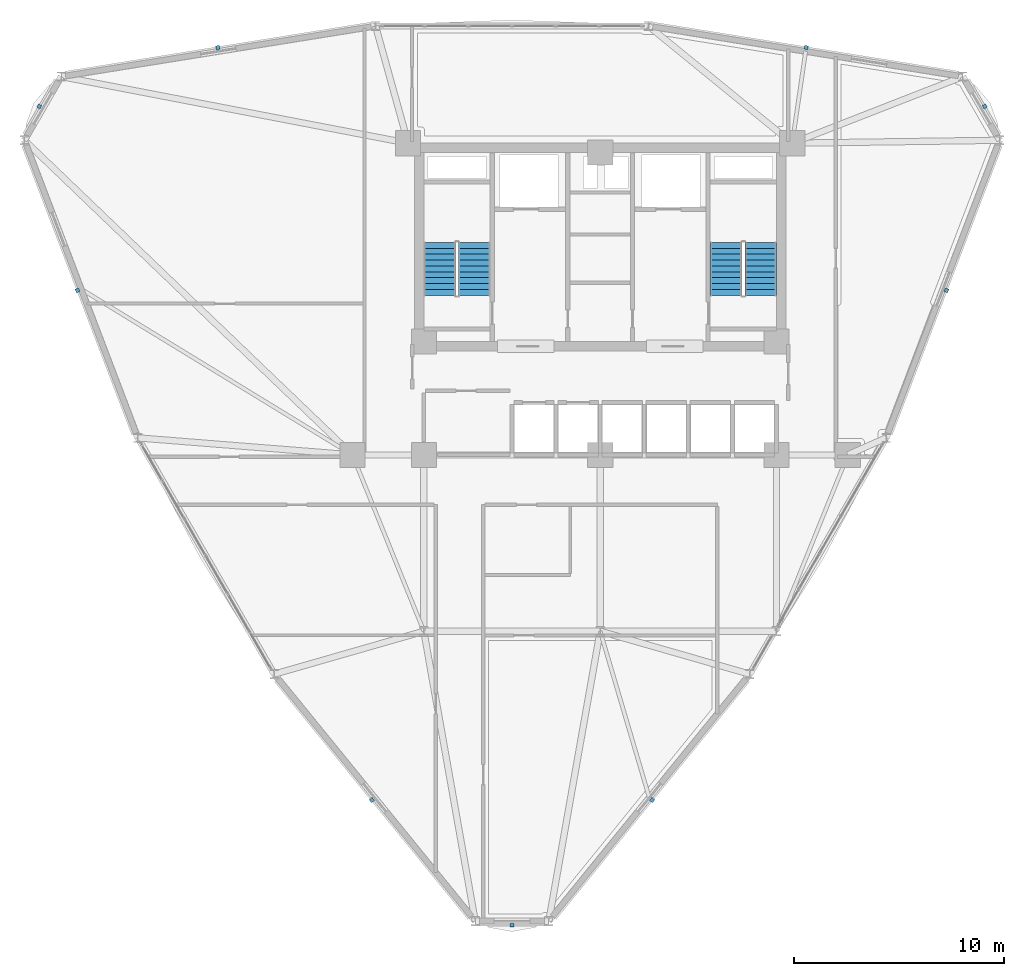
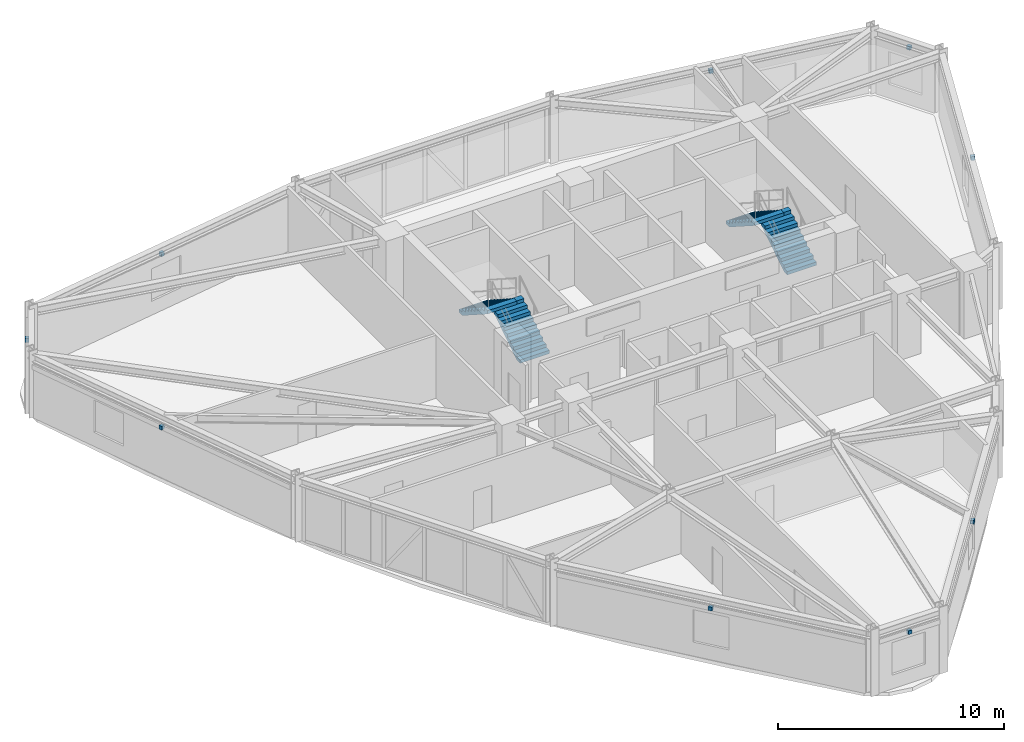
# One storey, part 12 of 15: 9 discrete accessories, 4 stair flights, 2 elements without a shape of their own.
"""IFC4 building model written with IfcOpenShell, lengths in metres."""

import ifcopenshell
import ifcopenshell.guid

model = None  # the IFC model being written
_history = None  # IfcOwnerHistory: only IFC2X3 demands one
_inside = {}  # id of a spatial element -> (the spatial element, [elements in it])
_under = {}  # id of a project, library or spatial element -> (it, [spatial elements below it])
_declared = {}  # id of a project -> (the project, [libraries it declares])
_typed = {}  # id of a type object -> (the type object, [elements of that type])
_made_of = {}  # id of a material, layer set ... -> (it, [elements and type objects made of it])


def new_model(schema):
    """Start an empty IFC model of exactly this schema.

    Asked for "IFC4X3", IfcOpenShell would pick the latest addendum, in which some entities
    have other attributes; the version numbers below select the first issue.
    IFC2X3 requires an IfcOwnerHistory on every rooted entity: one is made here for all.
    """
    global model, _history
    if schema == "IFC4X3":
        model = ifcopenshell.file(schema_version=(4, 3, 0, 0))
    else:
        model = ifcopenshell.file(schema=schema)
    _inside.clear()
    _under.clear()
    _declared.clear()
    _typed.clear()
    _made_of.clear()
    _history = None
    if model.schema == "IFC2X3":
        org = make("IfcOrganization", Name="unknown")
        user = make(
            "IfcPersonAndOrganization",
            ThePerson=make("IfcPerson", FamilyName="unknown"),
            TheOrganization=org,
        )
        app = make(
            "IfcApplication",
            ApplicationDeveloper=org,
            Version="unknown",
            ApplicationFullName="unknown",
            ApplicationIdentifier="unknown",
        )
        _history = make(
            "IfcOwnerHistory",
            OwningUser=user,
            OwningApplication=app,
            ChangeAction="ADDED",
            CreationDate=0,
        )
    return model


def make(cls, **values):
    """One entity of the class cls with the attributes given. An attribute that is None is left unset."""
    return model.create_entity(
        cls, **{name: value for name, value in values.items() if value is not None}
    )


def rooted(cls, **values):
    """An entity with a GlobalId (a new one), such as an element, a storey or a relation."""
    return make(cls, GlobalId=ifcopenshell.guid.new(), OwnerHistory=_history, **values)


def si_unit(unit_type, name, prefix=None):
    """IfcSIUnit, for example si_unit("LENGTHUNIT", "METRE", prefix="MILLI")."""
    return make("IfcSIUnit", UnitType=unit_type, Prefix=prefix, Name=name)


def derived_unit(unit_type, elements):
    """IfcDerivedUnit: a product of units, each with its exponent."""
    return make(
        "IfcDerivedUnit",
        Elements=[
            make("IfcDerivedUnitElement", Unit=unit, Exponent=power)
            for unit, power in elements
        ],
        UnitType=unit_type,
    )


def assignment(units):
    """IfcUnitAssignment: the units of a project."""
    return None if units is None else make("IfcUnitAssignment", Units=units)


def point(xyz):
    """IfcCartesianPoint."""
    return None if xyz is None else make("IfcCartesianPoint", Coordinates=xyz)


def direction(xyz):
    """IfcDirection."""
    return None if xyz is None else make("IfcDirection", DirectionRatios=xyz)


def frame(location, z_axis=None, x_axis=None):
    """IfcAxis2Placement3D, a coordinate frame: its origin and axes. An axis left out is left unset."""
    return make(
        "IfcAxis2Placement3D",
        Location=point(location),
        Axis=direction(z_axis),
        RefDirection=direction(x_axis),
    )


def frame_2d(location, x_axis=None):
    """IfcAxis2Placement2D, a coordinate frame in the plane: its origin and x axis."""
    return make(
        "IfcAxis2Placement2D", Location=point(location), RefDirection=direction(x_axis)
    )


def origin():
    """The frame at (0, 0, 0) with its axes left unset."""
    return frame((0.0, 0.0, 0.0))


def origin_2d():
    """The frame at (0, 0) in the plane with its x axis left unset."""
    return frame_2d((0.0, 0.0))


def place(relative_to, where):
    """IfcLocalPlacement: puts the frame where relative to a parent placement (None: the world)."""
    return make(
        "IfcLocalPlacement", PlacementRelTo=relative_to, RelativePlacement=where
    )


def context(
    kind, dimensions, precision=None, world=None, true_north=None, identifier=None
):
    """IfcGeometricRepresentationContext, for example the 3D "Model" context."""
    return make(
        "IfcGeometricRepresentationContext",
        ContextIdentifier=identifier,
        ContextType=kind,
        CoordinateSpaceDimension=dimensions,
        Precision=precision,
        WorldCoordinateSystem=world,
        TrueNorth=true_north,
    )


def subcontext(parent, identifier, kind, view, scale=None):
    """IfcGeometricRepresentationSubContext, for example "Body" below "Model"."""
    return make(
        "IfcGeometricRepresentationSubContext",
        ContextIdentifier=identifier,
        ContextType=kind,
        ParentContext=parent,
        TargetScale=scale,
        TargetView=view,
    )


def project(units=None, contexts=None):
    """IfcProject with its units and contexts."""
    return rooted(
        "IfcProject",
        Name="project",
        RepresentationContexts=contexts,
        UnitsInContext=assignment(units),
    )


def spatial(cls, under=None, at=None, **own):
    """A site, building, storey or space (cls), placed at a placement, below another one or the project."""
    s = rooted(cls, ObjectPlacement=at, **own)
    if under is not None:
        _under.setdefault(under.id(), (under, []))[1].append(s)
    return s


def polyline(points):
    """IfcPolyline through the points."""
    return make("IfcPolyline", Points=[point(p) for p in points])


def profile(cls, at=None, kind="AREA", **sizes):
    """A parametric profile (cls). Its sizes go by their IFC names, for example OverallWidth=200.0."""
    return make(cls, ProfileType=kind, Position=at, **sizes)


def rectangle(**sizes):
    """IfcRectangleProfileDef."""
    return profile("IfcRectangleProfileDef", **sizes)


def outline(outer, holes=None, kind="AREA"):
    """IfcArbitraryClosedProfileDef: a profile drawn as a closed curve; with holes, ...WithVoids."""
    if holes is None:
        return make("IfcArbitraryClosedProfileDef", ProfileType=kind, OuterCurve=outer)
    return make(
        "IfcArbitraryProfileDefWithVoids",
        ProfileType=kind,
        OuterCurve=outer,
        InnerCurves=holes,
    )


def extrude(swept, where, along, depth):
    """IfcExtrudedAreaSolid: the profile swept, set in the frame where, extruded along a direction by depth."""
    return make(
        "IfcExtrudedAreaSolid",
        SweptArea=swept,
        Position=where,
        ExtrudedDirection=direction(along),
        Depth=depth,
    )


def shape(context_of_items, identifier, shape_type, items):
    """IfcShapeRepresentation: the items that make up one representation, for example the "Body"."""
    return make(
        "IfcShapeRepresentation",
        ContextOfItems=context_of_items,
        RepresentationIdentifier=identifier,
        RepresentationType=shape_type,
        Items=items,
    )


def source(mapping_origin, context_of_items, identifier, shape_type, items):
    """IfcRepresentationMap: a shape defined once, which mapped items show again and again."""
    return make(
        "IfcRepresentationMap",
        MappingOrigin=mapping_origin,
        MappedRepresentation=shape(context_of_items, identifier, shape_type, items),
    )


def transform(
    local_origin,
    x_axis=None,
    y_axis=None,
    z_axis=None,
    scale=None,
    scale2=None,
    scale3=None,
    uniform=True,
):
    """IfcCartesianTransformationOperator3D, or its non-uniform kind. x_axis, y_axis, z_axis: its Axis1, 2, 3."""
    if uniform:
        return make(
            "IfcCartesianTransformationOperator3D",
            Axis1=direction(x_axis),
            Axis2=direction(y_axis),
            LocalOrigin=point(local_origin),
            Scale=scale,
            Axis3=direction(z_axis),
        )
    return make(
        "IfcCartesianTransformationOperator3DnonUniform",
        Axis1=direction(x_axis),
        Axis2=direction(y_axis),
        LocalOrigin=point(local_origin),
        Scale=scale,
        Axis3=direction(z_axis),
        Scale2=scale2,
        Scale3=scale3,
    )


def mapped(mapping_source, mapping_target):
    """IfcMappedItem: shows the shape of a source again, moved by a transform."""
    return make(
        "IfcMappedItem", MappingSource=mapping_source, MappingTarget=mapping_target
    )


def material(Name=None, Category=None):
    """IfcMaterial."""
    return make("IfcMaterial", Name=Name, Category=Category)


def made_of(thing, what):
    """Note that an element or type object is made of a material, layer set ...; save() writes the relation."""
    if what is not None:
        _made_of.setdefault(what.id(), (what, []))[1].append(thing)
    return thing


def type_object(cls, material=None, **own):
    """A type object (cls), such as IfcWallType, which elements share."""
    return made_of(rooted(cls, **own), material)


def element(
    cls,
    number,
    at=None,
    inside=None,
    cuts=None,
    type_object=None,
    material=None,
    context=None,
    identifier="Body",
    shape_type=None,
    held_by="IfcProductDefinitionShape",
    body=None,
    shapes=None,
    **own,
):
    """One element of the class cls, such as IfcWall. Its Tag is "e" and its number.

    at: its placement. inside: the storey or other place that contains it. cuts: it is an
    opening in that element (IfcRelVoidsElement). A single representation is given by context,
    identifier, shape_type and body (its items); several are given by shapes. held_by: the class
    of the entity that holds the representations. save() writes the other relations.
    """
    e = rooted(cls, Tag="e%d" % number, ObjectPlacement=at, **own)
    if body is not None:
        shapes = [shape(context, identifier, shape_type, body)]
    if shapes is not None:
        e.Representation = make(held_by, Representations=shapes)
    if inside is not None:
        _inside.setdefault(inside.id(), (inside, []))[1].append(e)
    if cuts is not None:
        rooted(
            "IfcRelVoidsElement", RelatingBuildingElement=cuts, RelatedOpeningElement=e
        )
    if type_object is not None:
        _typed.setdefault(type_object.id(), (type_object, []))[1].append(e)
    return made_of(e, material)


def aggregate(whole, parts):
    """IfcRelAggregates: a whole, such as a stair, and the parts it consists of."""
    return rooted("IfcRelAggregates", RelatingObject=whole, RelatedObjects=parts)


def save(model, path):
    """Write the relations noted so far, then the file.

    IfcRelAggregates (storeys below a building ...), IfcRelContainedInSpatialStructure (elements
    in a storey), IfcRelDefinesByType, IfcRelAssociatesMaterial and IfcRelDeclares: one each for
    every whole, place, type object, material and project.
    """
    for whole, parts in _under.values():
        aggregate(whole, parts)
    for where, things in _inside.values():
        rooted(
            "IfcRelContainedInSpatialStructure",
            RelatedElements=things,
            RelatingStructure=where,
        )
    for kind, things in _typed.values():
        rooted("IfcRelDefinesByType", RelatedObjects=things, RelatingType=kind)
    for what, things in _made_of.values():
        rooted("IfcRelAssociatesMaterial", RelatedObjects=things, RelatingMaterial=what)
    for by, libraries in _declared.values():
        rooted("IfcRelDeclares", RelatingContext=by, RelatedDefinitions=libraries)
    model.write(path)


model = new_model("IFC4")

# Units and contexts
model_context = context("Model", 3, precision=1e-05, world=origin(), true_north=direction((0.0, 1.0)))
body_context = subcontext(model_context, "Body", "Model", "MODEL_VIEW")
ifc_project = project(units=[si_unit("LENGTHUNIT", "METRE"), si_unit("AREAUNIT", "SQUARE_METRE"), si_unit("VOLUMEUNIT", "CUBIC_METRE"), si_unit("PLANEANGLEUNIT", "RADIAN"), si_unit("MASSUNIT", "GRAM", prefix="KILO"), derived_unit("THERMALTRANSMITTANCEUNIT", [(si_unit("POWERUNIT", "WATT"), 1), (si_unit("LENGTHUNIT", "METRE"), -2), (si_unit("THERMODYNAMICTEMPERATUREUNIT", "KELVIN"), -1)])], contexts=[model_context])

# Site, building, storey
site_placement = place(None, origin())
site = spatial("IfcSite", under=ifc_project, at=site_placement, CompositionType="ELEMENT")
building_placement = place(site_placement, origin())
building = spatial("IfcBuilding", under=site, at=building_placement, Name="Korsvarv Bourse and Concert Hall", CompositionType="ELEMENT")
storey_placement = place(building_placement, frame((0.0, 0.0, 147.0)))
storey = spatial("IfcBuildingStorey", under=building, at=storey_placement, Name="L37", CompositionType="ELEMENT", Elevation=147.0)

# Stair, stair flights
ifc_material_1 = material(Name="Precast concrete C45/55", Category="concrete")
stair_type = type_object("IfcStairType", Name="STR-TYPE-04", PredefinedType="HALF_TURN_STAIR", material=ifc_material_1)
stair_1_placement = place(storey_placement, origin())
stair_1 = element("IfcStair", 1, at=stair_1_placement, inside=storey, type_object=stair_type, Name="L37 Tower West Exit Stair ST-T1", PredefinedType="HALF_TURN_STAIR")
stair_flight_type = type_object("IfcStairFlightType", Name="FLT-TYPE-04", PredefinedType="STRAIGHT", material=ifc_material_1)
stair_flight_1_placement = place(storey_placement, frame((30.010009765625, 40.0, 0.0), z_axis=(0.0, 0.0, 1.0), x_axis=(0.0, 1.0, 0.0)))
stair_flight_1 = element("IfcStairFlight", 2, at=stair_flight_1_placement, type_object=stair_flight_type, Name="ST-T1 flight 1", NumberOfRisers=10, NumberOfTreads=9, PredefinedType="STRAIGHT", RiserHeight=0.18, TreadLength=0.28, context=body_context, shape_type="SweptSolid", body=[
    extrude(outline(polyline([(0.0, 0.0), (0.0, 0.179931640625), (0.280029296875, 0.179931640625), (0.280029296875, 0.360107421875), (0.56005859375, 0.360107421875), (0.56005859375, 0.5400390625), (0.840087890625, 0.5400390625), (0.840087890625, 0.719970703125), (1.1201171875, 0.719970703125), (1.1201171875, 0.89990234375), (1.39990234375, 0.89990234375), (1.39990234375, 1.080078125), (1.679931640625, 1.080078125), (1.679931640625, 1.260009765625), (1.9599609375, 1.260009765625), (1.9599609375, 1.43994140625), (2.239990234375, 1.43994140625), (2.239990234375, 1.6201171875), (2.52001953125, 1.6201171875), (2.52001953125, 1.800048828125), (2.52001953125, 1.44189453125), (0.277099609375, 0.0), (0.0, 0.0)])), frame((0.0, 0.75, 0.0), z_axis=(0.0, -1.0, 0.0), x_axis=(1.0, 0.0, 0.0)), (0.0, 0.0, 1.0), 1.5),
])
stair_flight_2_placement = place(storey_placement, frame((28.35009765625, 42.52001953125, 1.800048828125), z_axis=(0.0, 0.0, 1.0), x_axis=(0.0, -1.0, 0.0)))
stair_flight_2 = element("IfcStairFlight", 3, at=stair_flight_2_placement, type_object=stair_flight_type, Name="ST-T1 flight 2", NumberOfRisers=10, NumberOfTreads=9, PredefinedType="STRAIGHT", RiserHeight=0.18, TreadLength=0.28, context=body_context, shape_type="SweptSolid", body=[
    extrude(outline(polyline([(0.0, 0.0), (0.0, 0.179931640625), (0.280029296875, 0.179931640625), (0.280029296875, 0.360107421875), (0.56005859375, 0.360107421875), (0.56005859375, 0.5400390625), (0.840087890625, 0.5400390625), (0.840087890625, 0.719970703125), (1.1201171875, 0.719970703125), (1.1201171875, 0.89990234375), (1.39990234375, 0.89990234375), (1.39990234375, 1.080078125), (1.679931640625, 1.080078125), (1.679931640625, 1.260009765625), (1.9599609375, 1.260009765625), (1.9599609375, 1.43994140625), (2.239990234375, 1.43994140625), (2.239990234375, 1.6201171875), (2.52001953125, 1.6201171875), (2.52001953125, 1.800048828125), (2.52001953125, 1.44189453125), (0.277099609375, 0.0), (0.0, 0.0)])), frame((0.0, 0.75, 0.0), z_axis=(0.0, -1.0, 0.0), x_axis=(1.0, 0.0, 0.0)), (0.0, 0.0, 1.0), 1.5),
])
aggregate(stair_1, [stair_flight_1, stair_flight_2])

stair_2_placement = place(storey_placement, origin())
stair_2 = element("IfcStair", 4, at=stair_2_placement, inside=storey, type_object=stair_type, Name="L37 Tower East Exit Stair ST-T2", PredefinedType="HALF_TURN_STAIR")
stair_flight_3_placement = place(storey_placement, frame((43.64990234375, 40.0, 0.0), z_axis=(0.0, 0.0, 1.0), x_axis=(0.0, 1.0, 0.0)))
stair_flight_3 = element("IfcStairFlight", 5, at=stair_flight_3_placement, type_object=stair_flight_type, Name="ST-T2 flight 1", NumberOfRisers=10, NumberOfTreads=9, PredefinedType="STRAIGHT", RiserHeight=0.18, TreadLength=0.28, context=body_context, shape_type="SweptSolid", body=[
    extrude(outline(polyline([(0.0, 0.0), (0.0, 0.179931640625), (0.280029296875, 0.179931640625), (0.280029296875, 0.360107421875), (0.56005859375, 0.360107421875), (0.56005859375, 0.5400390625), (0.840087890625, 0.5400390625), (0.840087890625, 0.719970703125), (1.1201171875, 0.719970703125), (1.1201171875, 0.89990234375), (1.39990234375, 0.89990234375), (1.39990234375, 1.080078125), (1.679931640625, 1.080078125), (1.679931640625, 1.260009765625), (1.9599609375, 1.260009765625), (1.9599609375, 1.43994140625), (2.239990234375, 1.43994140625), (2.239990234375, 1.6201171875), (2.52001953125, 1.6201171875), (2.52001953125, 1.800048828125), (2.52001953125, 1.44189453125), (0.277099609375, 0.0), (0.0, 0.0)])), frame((0.0, 0.75, 0.0), z_axis=(0.0, -1.0, 0.0), x_axis=(1.0, 0.0, 0.0)), (0.0, 0.0, 1.0), 1.5),
])
stair_flight_4_placement = place(storey_placement, frame((41.989990234375, 42.52001953125, 1.800048828125), z_axis=(0.0, 0.0, 1.0), x_axis=(0.0, -1.0, 0.0)))
stair_flight_4 = element("IfcStairFlight", 6, at=stair_flight_4_placement, type_object=stair_flight_type, Name="ST-T2 flight 2", NumberOfRisers=10, NumberOfTreads=9, PredefinedType="STRAIGHT", RiserHeight=0.18, TreadLength=0.28, context=body_context, shape_type="SweptSolid", body=[
    extrude(outline(polyline([(0.0, 0.0), (0.0, 0.179931640625), (0.280029296875, 0.179931640625), (0.280029296875, 0.360107421875), (0.56005859375, 0.360107421875), (0.56005859375, 0.5400390625), (0.840087890625, 0.5400390625), (0.840087890625, 0.719970703125), (1.1201171875, 0.719970703125), (1.1201171875, 0.89990234375), (1.39990234375, 0.89990234375), (1.39990234375, 1.080078125), (1.679931640625, 1.080078125), (1.679931640625, 1.260009765625), (1.9599609375, 1.260009765625), (1.9599609375, 1.43994140625), (2.239990234375, 1.43994140625), (2.239990234375, 1.6201171875), (2.52001953125, 1.6201171875), (2.52001953125, 1.800048828125), (2.52001953125, 1.44189453125), (0.277099609375, 0.0), (0.0, 0.0)])), frame((0.0, 0.75, 0.0), z_axis=(0.0, -1.0, 0.0), x_axis=(1.0, 0.0, 0.0)), (0.0, 0.0, 1.0), 1.5),
])
aggregate(stair_2, [stair_flight_3, stair_flight_4])

# Discrete accessories
ifc_material_2 = material(Name="Stainless Steel S355 facade outrigger bracket", Category="steel")
discrete_accessory_type = type_object("IfcDiscreteAccessoryType", Name="ACC-BRK-1", PredefinedType="BRACKET", material=ifc_material_2)
shared_shape = source(origin(), body_context, "Body", "SweptSolid", [
    extrude(rectangle(XDim=0.179931640625, YDim=0.179931640625, at=origin_2d()), origin(), (0.0, 0.0, 1.0), 0.199951171875),
])
for number, where, z_axis, x_axis, name in (
    (7, (54.322021484375, 49.003173828125, 2.740234375), (0.0, 0.0, 1.0), (-0.5, 0.866025403784, 0.0), "L37 terracotta sunshade bracket EW-L37-B01"),
    (8, (45.819580078125, 51.80908203125, 2.740234375), (0.0, 0.0, 1.0), (-0.987303150973, 0.158847373537, 0.0), "L37 terracotta sunshade bracket EW-L37-B02"),
    (9, (17.780517578125, 51.80908203125, 2.68994140625), (0.0, 0.0, 1.0), (-0.987303150973, -0.158847373537, 0.0), "L37 terracotta sunshade bracket EW-L37-B04"),
    (10, (9.27783203125, 49.003173828125, 2.740234375), (0.0, 0.0, 1.0), (-0.5, -0.866025403784, 0.0), "L37 terracotta sunshade bracket EW-L37-B05"),
    (11, (11.09912109375, 40.23681640625, 2.68994140625), (0.0, 0.0, 1.0), (0.356085714679, -0.934453296747, 0.0), "L37 terracotta sunshade bracket EW-L37-B06"),
    (12, (25.11865234375, 15.9541015625, 2.740234375), (0.0, 0.0, 1.0), (0.631217436293, -0.77560592321, 0.0), "L37 terracotta sunshade bracket EW-L37-B08"),
    (13, (31.800048828125, 9.993896484375, 2.740234375), (0.0, 0.0, 1.0), (1.0, 0.0, 0.0), "L37 terracotta sunshade bracket EW-L37-B09"),
    (14, (38.481201171875, 15.9541015625, 2.740234375), (0.0, 0.0, 1.0), (0.631217436293, 0.77560592321, 0.0), "L37 terracotta sunshade bracket EW-L37-B10"),
    (15, (52.500732421875, 40.23681640625, 2.740234375), (0.0, 0.0, 1.0), (0.356085714679, 0.934453296747, 0.0), "L37 terracotta sunshade bracket EW-L37-B12"),
):
    element("IfcDiscreteAccessory", number, at=place(storey_placement, frame(where, z_axis=z_axis, x_axis=x_axis)), inside=storey, type_object=discrete_accessory_type, Name=name, PredefinedType="BRACKET", context=body_context, shape_type="MappedRepresentation", body=[
        mapped(shared_shape, transform((0.0, 0.0, 0.0), scale=1.0)),
    ])

save(model, "model.ifc")
